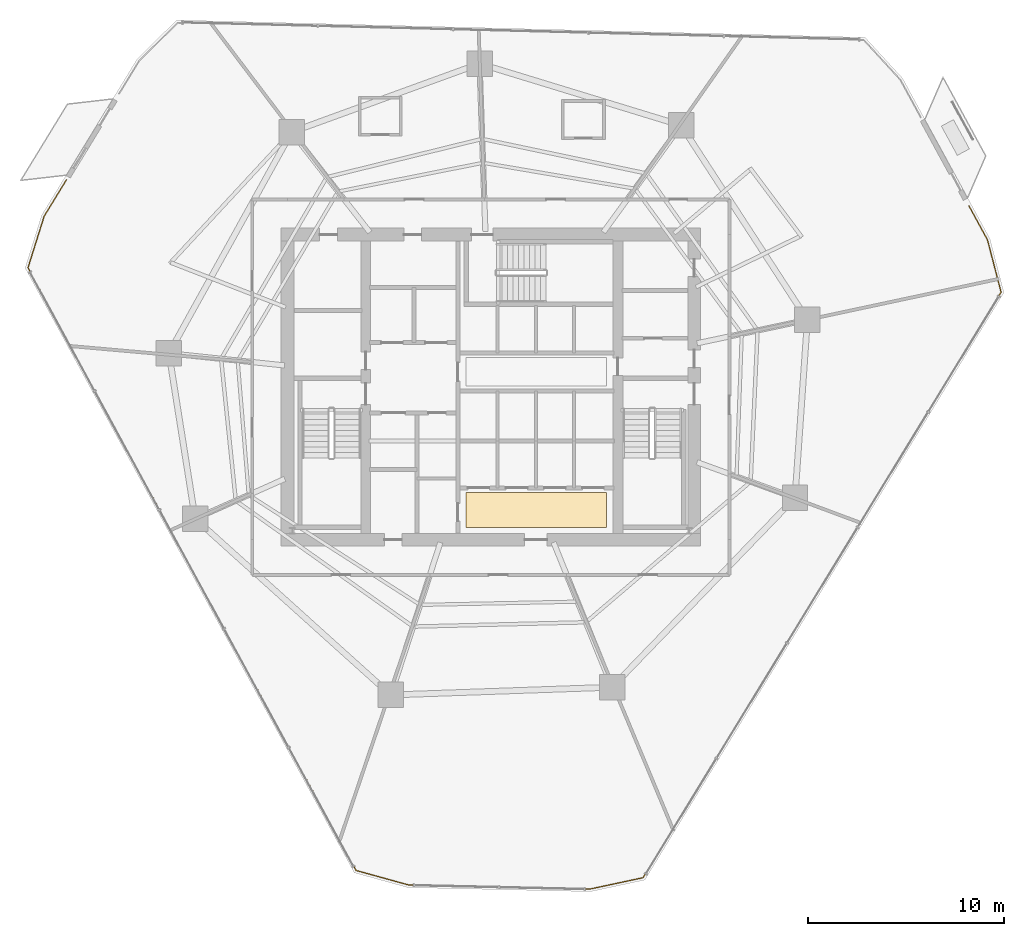
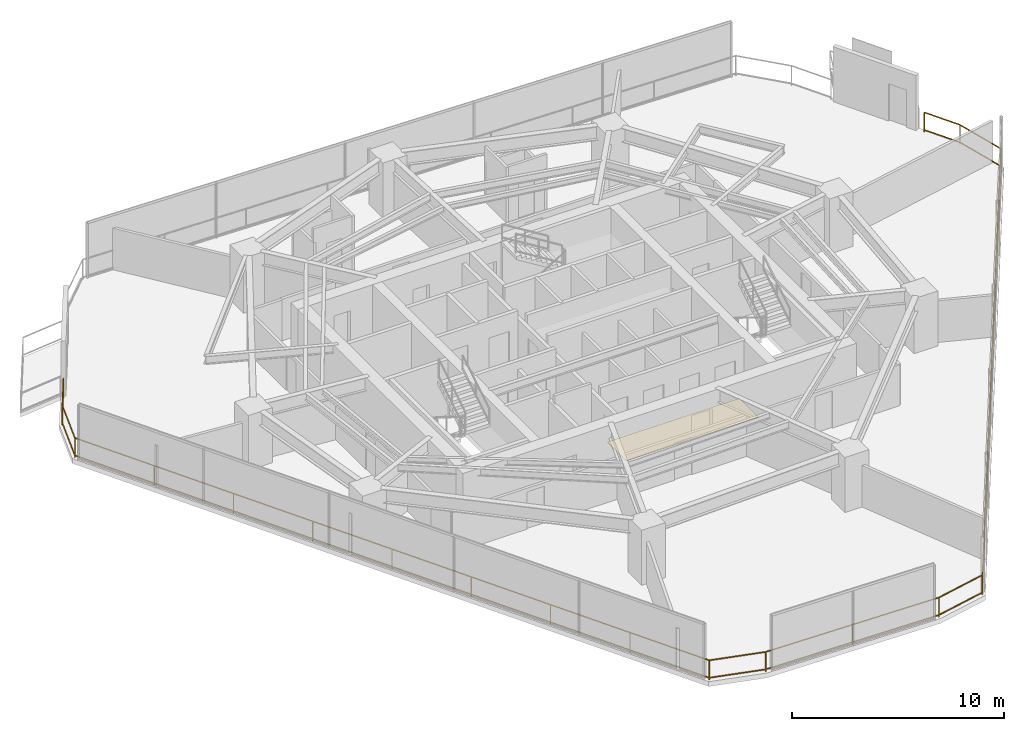
# One storey, part 28 of 30: 1 covering, 1 railing.
"""IFC4 building model written with IfcOpenShell, lengths in metres."""

from ifc_helpers import new_model, si_unit, direction, frame, origin, origin_2d, place, context, subcontext, project, spatial, rectangle, extrude, material, layer, layer_set, type_object, element, save


model = new_model("IFC4")

# Units and contexts
model_context = context("Model", 3, precision=1e-05, world=origin(), true_north=direction((0.0, 1.0)))
body_context = subcontext(model_context, "Body", "Model", "MODEL_VIEW")
ifc_project = project(units=[si_unit("LENGTHUNIT", "METRE"), si_unit("AREAUNIT", "SQUARE_METRE"), si_unit("VOLUMEUNIT", "CUBIC_METRE"), si_unit("PLANEANGLEUNIT", "RADIAN"), si_unit("MASSUNIT", "GRAM", prefix="KILO")], contexts=[model_context])

# Site, building, storey
site_placement = place(None, origin())
site = spatial("IfcSite", under=ifc_project, at=site_placement, CompositionType="ELEMENT")
building_placement = place(site_placement, origin())
building = spatial("IfcBuilding", under=site, at=building_placement, Name="Qarnah Convention Tower", CompositionType="ELEMENT")
storey_placement = place(building_placement, frame((0.0, 0.0, 61.5)))
storey = spatial("IfcBuildingStorey", under=building, at=storey_placement, Name="L15", CompositionType="ELEMENT", Elevation=61.5)

# Covering
ifc_material_1 = material(Name="Porcelain stone floor tile", Category="masonry")
ifc_layer = layer(ifc_material_1, 0.02001953125)
ifc_layer_set = layer_set([ifc_layer], Name="Porcelain stone floor tile")
covering_type = type_object("IfcCoveringType", Name="COV-FLOOR-20", PredefinedType="FLOORING", material=ifc_layer_set)
covering_placement = place(storey_placement, frame((39.52001953125, 20.1201171875, 0.0), z_axis=(0.0, 0.0, 1.0), x_axis=(1.0, 0.0, 0.0)))
element("IfcCovering", 1, at=covering_placement, inside=storey, type_object=covering_type, Name="L15 lift lobby porcelain stone flooring", PredefinedType="FLOORING", context=body_context, shape_type="SweptSolid", body=[
    extrude(rectangle(XDim=7.199951171875, YDim=1.800048828125, at=origin_2d()), origin(), (0.0, 0.0, 1.0), 0.02001953125),
])

# Railing
ifc_material_2 = material(Name="Black anodised aluminium", Category="aluminium")
railing_type = type_object("IfcRailingType", Name="RL-EXT-GUARD-1150", PredefinedType="GUARDRAIL", material=ifc_material_2)
railing_placement = place(storey_placement, frame((61.65087890625, 35.6640625, 0.0)))
element("IfcRailing", 2, at=railing_placement, inside=storey, type_object=railing_type, Name="L15 slab-edge perimeter safety guard 02", PredefinedType="GUARDRAIL", context=body_context, shape_type="SweptSolid", body=[
    extrude(rectangle(XDim=0.048095703125, YDim=0.048095703125, at=origin_2d()), frame((0.0, 0.0, 1.1259765625), z_axis=(0.478150250575, -0.878278052712, 0.0), x_axis=(0.878278052712, 0.478150250575, 0.0)), (0.0, 0.0, 1.0), 1.974365234375),
    extrude(rectangle(XDim=0.048095703125, YDim=0.048095703125, at=origin_2d()), frame((0.0, 0.0, 0.1201171875), z_axis=(0.478150250575, -0.878278052712, 0.0), x_axis=(0.878278052712, 0.478150250575, 0.0)), (0.0, 0.0, 1.0), 1.974365234375),
    extrude(rectangle(XDim=0.048095703125, YDim=0.048095703125, at=origin_2d()), frame((0.944091796875, -1.734130859375, 1.1259765625), z_axis=(0.251590808561, -0.967833697, 0.0), x_axis=(0.967833697, 0.251590808561, 0.0)), (0.0, 0.0, 1.0), 2.7626953125),
    extrude(rectangle(XDim=0.048095703125, YDim=0.048095703125, at=origin_2d()), frame((0.944091796875, -1.734130859375, 0.1201171875), z_axis=(0.251590808561, -0.967833697, 0.0), x_axis=(0.967833697, 0.251590808561, 0.0)), (0.0, 0.0, 1.0), 2.7626953125),
    extrude(rectangle(XDim=0.048095703125, YDim=0.048095703125, at=origin_2d()), frame((1.63916015625, -4.407958984375, 1.1259765625), z_axis=(-0.521611253654, -0.853183274603, 0.0), x_axis=(0.853183274603, -0.521611253654, 0.0)), (0.0, 0.0, 1.0), 35.091064453125),
    extrude(rectangle(XDim=0.048095703125, YDim=0.048095703125, at=origin_2d()), frame((1.63916015625, -4.407958984375, 0.1201171875), z_axis=(-0.521611253654, -0.853183274603, 0.0), x_axis=(0.853183274603, -0.521611253654, 0.0)), (0.0, 0.0, 1.0), 35.091064453125),
    extrude(rectangle(XDim=0.048095703125, YDim=0.048095703125, at=origin_2d()), frame((-16.664794921875, -34.34716796875, 1.1259765625), z_axis=(-0.977863278241, -0.209244854341, 0.0), x_axis=(0.209244854341, -0.977863278241, 0.0)), (0.0, 0.0, 1.0), 2.757080078125),
    extrude(rectangle(XDim=0.048095703125, YDim=0.048095703125, at=origin_2d()), frame((-16.664794921875, -34.34716796875, 0.1201171875), z_axis=(-0.977863278241, -0.209244854341, 0.0), x_axis=(0.209244854341, -0.977863278241, 0.0)), (0.0, 0.0, 1.0), 2.757080078125),
    extrude(rectangle(XDim=0.048095703125, YDim=0.048095703125, at=origin_2d()), frame((-19.36083984375, -34.924072265625, 1.1259765625), z_axis=(-0.99974611895, 0.022532146923, 0.0), x_axis=(-0.022532146923, -0.99974611895, 0.0)), (0.0, 0.0, 1.0), 9.318359375),
    extrude(rectangle(XDim=0.048095703125, YDim=0.048095703125, at=origin_2d()), frame((-19.36083984375, -34.924072265625, 0.1201171875), z_axis=(-0.99974611895, 0.022532146923, 0.0), x_axis=(-0.022532146923, -0.99974611895, 0.0)), (0.0, 0.0, 1.0), 9.318359375),
    extrude(rectangle(XDim=0.048095703125, YDim=0.048095703125, at=origin_2d()), frame((-28.6767578125, -34.714111328125, 1.1259765625), z_axis=(-0.963949640773, 0.266084742241, 0.0), x_axis=(-0.266084742241, -0.963949640773, 0.0)), (0.0, 0.0, 1.0), 2.7626953125),
    extrude(rectangle(XDim=0.048095703125, YDim=0.048095703125, at=origin_2d()), frame((-28.6767578125, -34.714111328125, 0.1201171875), z_axis=(-0.963949640773, 0.266084742241, 0.0), x_axis=(-0.266084742241, -0.963949640773, 0.0)), (0.0, 0.0, 1.0), 2.7626953125),
    extrude(rectangle(XDim=0.048095703125, YDim=0.048095703125, at=origin_2d()), frame((-31.33984375, -33.97900390625, 1.1259765625), z_axis=(-0.478085204324, 0.878313461929, 0.0), x_axis=(-0.878313461929, -0.478085204324, 0.0)), (0.0, 0.0, 1.0), 35.09228515625),
    extrude(rectangle(XDim=0.048095703125, YDim=0.048095703125, at=origin_2d()), frame((-31.33984375, -33.97900390625, 0.1201171875), z_axis=(-0.478085204324, 0.878313461929, 0.0), x_axis=(-0.878313461929, -0.478085204324, 0.0)), (0.0, 0.0, 1.0), 35.09228515625),
    extrude(rectangle(XDim=0.048095703125, YDim=0.048095703125, at=origin_2d()), frame((-48.116943359375, -3.156982421875, 1.1259765625), z_axis=(0.299718606023, 0.954027650125, 0.0), x_axis=(-0.954027650125, 0.299718606023, 0.0)), (0.0, 0.0, 1.0), 2.762939453125),
    extrude(rectangle(XDim=0.048095703125, YDim=0.048095703125, at=origin_2d()), frame((-48.116943359375, -3.156982421875, 0.1201171875), z_axis=(0.299718606023, 0.954027650125, 0.0), x_axis=(-0.954027650125, 0.299718606023, 0.0)), (0.0, 0.0, 1.0), 2.762939453125),
    extrude(rectangle(XDim=0.048095703125, YDim=0.048095703125, at=origin_2d()), frame((-47.288818359375, -0.52099609375, 1.1259765625), z_axis=(0.521707612256, 0.853124356301, 0.0), x_axis=(-0.853124356301, 0.521707612256, 0.0)), (0.0, 0.0, 1.0), 2.184814453125),
    extrude(rectangle(XDim=0.048095703125, YDim=0.048095703125, at=origin_2d()), frame((-47.288818359375, -0.52099609375, 0.1201171875), z_axis=(0.521707612256, 0.853124356301, 0.0), x_axis=(-0.853124356301, 0.521707612256, 0.0)), (0.0, 0.0, 1.0), 2.184814453125),
    extrude(rectangle(XDim=0.0419921875, YDim=0.0419921875, at=origin_2d()), origin(), (0.0, 0.0, 1.0), 1.101806640625),
    extrude(rectangle(XDim=0.0419921875, YDim=0.0419921875, at=origin_2d()), frame((0.944091796875, -1.734130859375, 0.0)), (0.0, 0.0, 1.0), 1.101806640625),
    extrude(rectangle(XDim=0.0419921875, YDim=0.0419921875, at=origin_2d()), frame((1.63916015625, -4.407958984375, 0.0)), (0.0, 0.0, 1.0), 1.101806640625),
    extrude(rectangle(XDim=0.0419921875, YDim=0.0419921875, at=origin_2d()), frame((-0.64892578125, -8.150390625, 0.0)), (0.0, 0.0, 1.0), 1.101806640625),
    extrude(rectangle(XDim=0.0419921875, YDim=0.0419921875, at=origin_2d()), frame((-2.936767578125, -11.892822265625, 0.0)), (0.0, 0.0, 1.0), 1.101806640625),
    extrude(rectangle(XDim=0.0419921875, YDim=0.0419921875, at=origin_2d()), frame((-5.224853515625, -15.63525390625, 0.0)), (0.0, 0.0, 1.0), 1.101806640625),
    extrude(rectangle(XDim=0.0419921875, YDim=0.0419921875, at=origin_2d()), frame((-7.5126953125, -19.37744140625, 0.0)), (0.0, 0.0, 1.0), 1.101806640625),
    extrude(rectangle(XDim=0.0419921875, YDim=0.0419921875, at=origin_2d()), frame((-9.80078125, -23.119873046875, 0.0)), (0.0, 0.0, 1.0), 1.101806640625),
    extrude(rectangle(XDim=0.0419921875, YDim=0.0419921875, at=origin_2d()), frame((-12.0888671875, -26.8623046875, 0.0)), (0.0, 0.0, 1.0), 1.101806640625),
    extrude(rectangle(XDim=0.0419921875, YDim=0.0419921875, at=origin_2d()), frame((-14.376708984375, -30.604736328125, 0.0)), (0.0, 0.0, 1.0), 1.101806640625),
    extrude(rectangle(XDim=0.0419921875, YDim=0.0419921875, at=origin_2d()), frame((-16.664794921875, -34.34716796875, 0.0)), (0.0, 0.0, 1.0), 1.101806640625),
    extrude(rectangle(XDim=0.0419921875, YDim=0.0419921875, at=origin_2d()), frame((-19.36083984375, -34.924072265625, 0.0)), (0.0, 0.0, 1.0), 1.101806640625),
    extrude(rectangle(XDim=0.0419921875, YDim=0.0419921875, at=origin_2d()), frame((-24.018798828125, -34.819091796875, 0.0)), (0.0, 0.0, 1.0), 1.101806640625),
    extrude(rectangle(XDim=0.0419921875, YDim=0.0419921875, at=origin_2d()), frame((-28.6767578125, -34.714111328125, 0.0)), (0.0, 0.0, 1.0), 1.101806640625),
    extrude(rectangle(XDim=0.0419921875, YDim=0.0419921875, at=origin_2d()), frame((-31.33984375, -33.97900390625, 0.0)), (0.0, 0.0, 1.0), 1.101806640625),
    extrude(rectangle(XDim=0.0419921875, YDim=0.0419921875, at=origin_2d()), frame((-33.43701171875, -30.126220703125, 0.0)), (0.0, 0.0, 1.0), 1.101806640625),
    extrude(rectangle(XDim=0.0419921875, YDim=0.0419921875, at=origin_2d()), frame((-35.5341796875, -26.2734375, 0.0)), (0.0, 0.0, 1.0), 1.101806640625),
    extrude(rectangle(XDim=0.0419921875, YDim=0.0419921875, at=origin_2d()), frame((-37.63134765625, -22.420654296875, 0.0)), (0.0, 0.0, 1.0), 1.101806640625),
    extrude(rectangle(XDim=0.0419921875, YDim=0.0419921875, at=origin_2d()), frame((-39.728515625, -18.56787109375, 0.0)), (0.0, 0.0, 1.0), 1.101806640625),
    extrude(rectangle(XDim=0.0419921875, YDim=0.0419921875, at=origin_2d()), frame((-41.825439453125, -14.71533203125, 0.0)), (0.0, 0.0, 1.0), 1.101806640625),
    extrude(rectangle(XDim=0.0419921875, YDim=0.0419921875, at=origin_2d()), frame((-43.922607421875, -10.862548828125, 0.0)), (0.0, 0.0, 1.0), 1.101806640625),
    extrude(rectangle(XDim=0.0419921875, YDim=0.0419921875, at=origin_2d()), frame((-46.019775390625, -7.009765625, 0.0)), (0.0, 0.0, 1.0), 1.101806640625),
    extrude(rectangle(XDim=0.0419921875, YDim=0.0419921875, at=origin_2d()), frame((-48.116943359375, -3.156982421875, 0.0)), (0.0, 0.0, 1.0), 1.101806640625),
    extrude(rectangle(XDim=0.0419921875, YDim=0.0419921875, at=origin_2d()), frame((-47.288818359375, -0.52099609375, 0.0)), (0.0, 0.0, 1.0), 1.101806640625),
    extrude(rectangle(XDim=0.0419921875, YDim=0.0419921875, at=origin_2d()), frame((-46.14892578125, 1.343017578125, 0.0)), (0.0, 0.0, 1.0), 1.101806640625),
])

save(model, "model.ifc")
